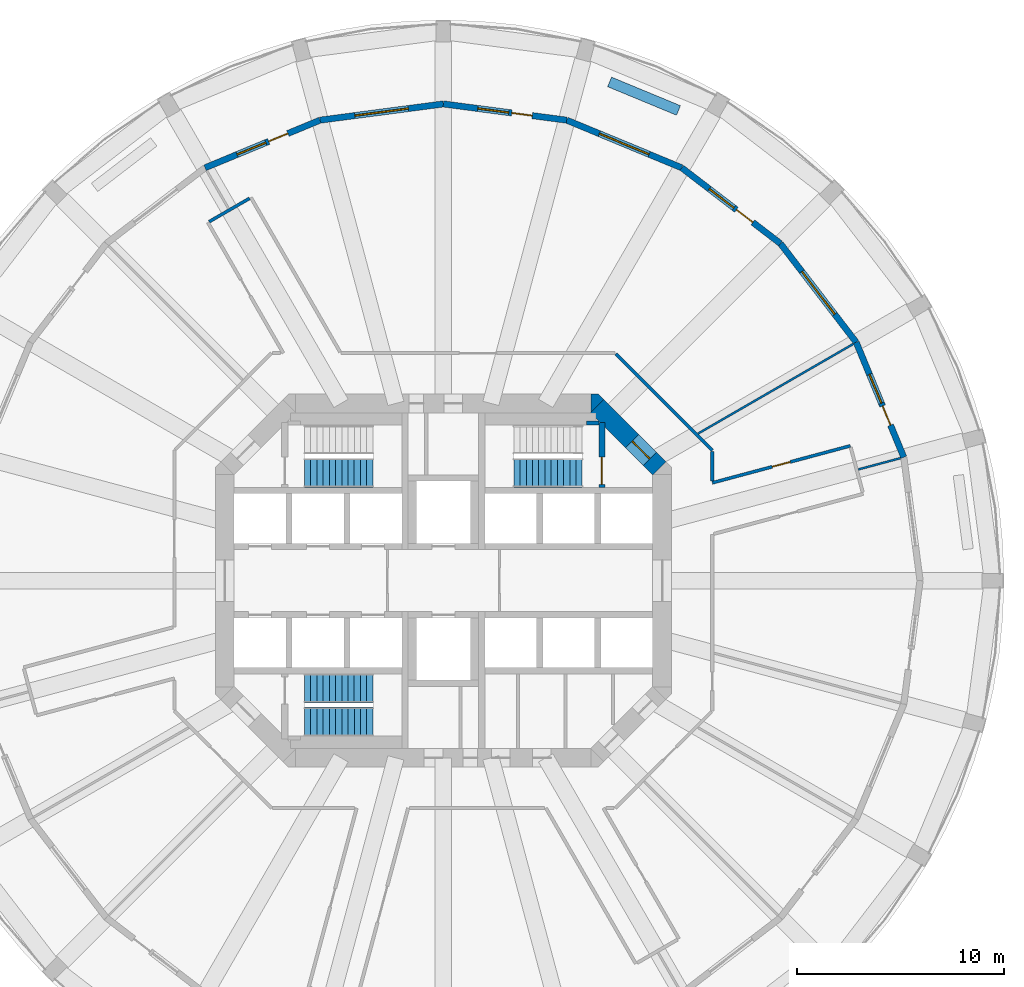
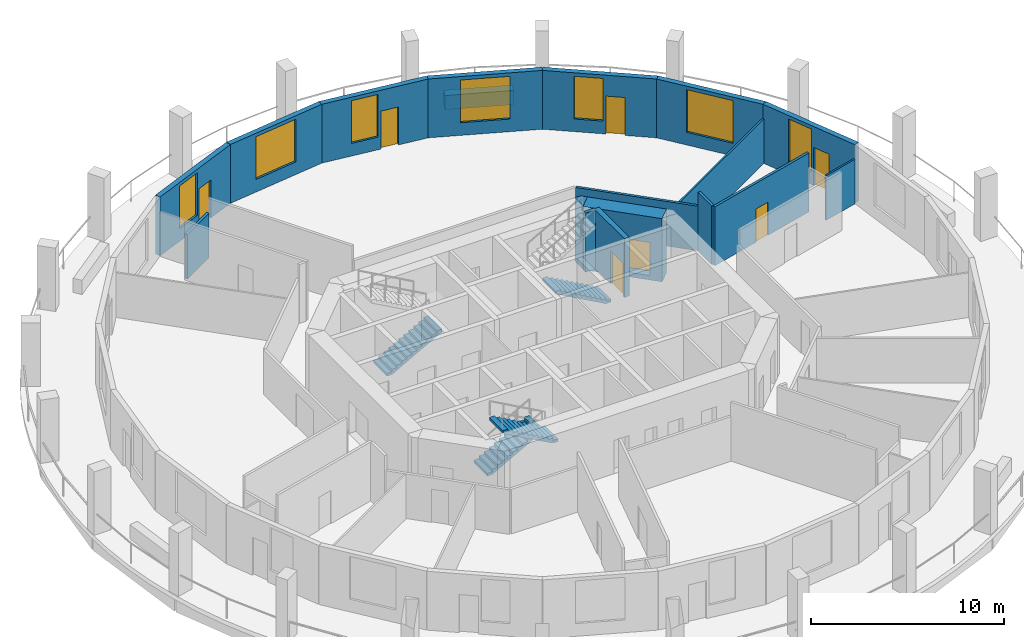
# One storey, part 6 of 9: 18 walls, 7 doors, 7 windows, 4 stair flights, 14 openings, 3 elements without a shape of their own.
"""IFC4 building model written with IfcOpenShell, lengths in metres."""

from ifc_helpers import new_model, si_unit, direction, frame, frame_2d, origin, place, context, subcontext, project, spatial, polyline, rectangle, outline, extrude, material, layer, layer_set, type_object, element, fill, aggregate, save


model = new_model("IFC4")

# Units and contexts
model_context = context("Model", 3, precision=1e-05, world=origin(), true_north=direction((0.0, 1.0)))
body_context = subcontext(model_context, "Body", "Model", "MODEL_VIEW")
ifc_project = project(units=[si_unit("LENGTHUNIT", "METRE"), si_unit("AREAUNIT", "SQUARE_METRE"), si_unit("VOLUMEUNIT", "CUBIC_METRE"), si_unit("PLANEANGLEUNIT", "RADIAN"), si_unit("MASSUNIT", "GRAM", prefix="KILO")], contexts=[model_context])

# Site, building, storey
site_placement = place(None, origin())
site = spatial("IfcSite", under=ifc_project, at=site_placement, CompositionType="ELEMENT")
building_placement = place(site_placement, origin())
building = spatial("IfcBuilding", under=site, at=building_placement, Name="Torre Triforio", CompositionType="ELEMENT")
storey_placement = place(building_placement, frame((0.0, 0.0, 67.0)))
storey = spatial("IfcBuildingStorey", under=building, at=storey_placement, Name="L14", CompositionType="ELEMENT", Elevation=67.0)

# Wall, opening, door
ifc_material_1 = material(Name="Concrete C60", Category="concrete")
ifc_layer_1 = layer(ifc_material_1, 0.89990234375)
ifc_layer_set_1 = layer_set([ifc_layer_1], Name="Concrete C60")
wall_type_1 = type_object("IfcWallType", Name="Core wall 900 mm C60 EI 120", PredefinedType="SHEAR", material=ifc_layer_set_1)
wall_1_placement = place(storey_placement, frame((7.418212890625, 8.418212890625, -0.280029296875), z_axis=(0.0, 0.0, 1.0), x_axis=(0.707106781187, -0.707106781187, 0.0)))
wall_1 = element("IfcWall", 1, at=wall_1_placement, inside=storey, type_object=wall_type_1, Name="Core wall", PredefinedType="SHEAR", context=body_context, shape_type="SweptSolid", body=[
    extrude(rectangle(XDim=4.24267578125, YDim=0.89990234375, at=frame_2d((2.121337890625, 0.0))), origin(), (0.0, 0.0, 1.0), 4.0),
])
opening_1_placement = place(wall_1_placement, frame((2.392578125, 0.0, 0.280029296875)))
opening_1 = element("IfcOpeningElement", 2, at=opening_1_placement, cuts=wall_1, Name="Opening ST2-EXIT", PredefinedType="OPENING", context=body_context, shape_type="SweptSolid", body=[
    extrude(rectangle(XDim=1.199951171875, YDim=2.10009765625, at=frame_2d((0.60009765625, 1.050048828125))), frame((0.0, 0.4599609375, 0.0), z_axis=(0.0, -1.0, 0.0), x_axis=(1.0, 0.0, 0.0)), (0.0, 0.0, 1.0), 0.919921875),
])
ifc_material_2 = material(Name="Hollow metal fire door leaf")
door_type_1 = type_object("IfcDoorType", Name="Stair lobby door 1200 x 2100 EI 60", OperationType="NOTDEFINED", PredefinedType="DOOR", material=ifc_material_2)
door_1_placement = place(opening_1_placement, origin())
door_1 = element("IfcDoor", 3, at=door_1_placement, inside=storey, type_object=door_type_1, Name="Core door ST2-EXIT", OperationType="SINGLE_SWING_RIGHT", OverallHeight=2.10009765625, OverallWidth=1.199951171875, PredefinedType="DOOR", context=body_context, shape_type="SweptSolid", body=[
    extrude(rectangle(XDim=1.199951171875, YDim=2.10009765625, at=frame_2d((0.60009765625, 1.050048828125))), frame((0.0, 0.02490234375, 0.0), z_axis=(0.0, -1.0, 0.0), x_axis=(1.0, 0.0, 0.0)), (0.0, 0.0, 1.0), 0.050048828125),
])
fill(opening_1, door_1)

# Walls
wall_2_placement = place(storey_placement, frame((0.0, 0.0, -0.280029296875)))
element("IfcWall", 4, at=wall_2_placement, inside=storey, type_object=wall_type_1, Name="Core wall", PredefinedType="SHEAR", context=body_context, shape_type="SweptSolid", body=[
    extrude(outline(polyline([(7.472900390625, 9.0), (7.736328125, 8.736328125), (7.1298828125, 8.1298828125), (7.1298828125, 9.0), (7.472900390625, 9.0)])), origin(), (0.0, 0.0, 1.0), 4.0),
])
ifc_material_3 = material(Name="Plasterboard on metal studs")
ifc_layer_2 = layer(ifc_material_3, 0.14990234375)
ifc_layer_set_2 = layer_set([ifc_layer_2], Name="Plasterboard on metal studs")
wall_type_2 = type_object("IfcWallType", Name="Corridor and tenancy wall 150 mm EI 60", PredefinedType="PARTITIONING", material=ifc_layer_set_2)
wall_3_placement = place(storey_placement, frame((-11.298583984375, 17.31982421875, 0.0), z_axis=(0.0, 0.0, 1.0), x_axis=(0.866017533419, 0.500013631625, 0.0)))
element("IfcWall", 5, at=wall_3_placement, inside=storey, type_object=wall_type_2, Name="Partition 7", PredefinedType="PARTITIONING", context=body_context, shape_type="SweptSolid", body=[
    extrude(rectangle(XDim=2.25, YDim=0.14990234375, at=frame_2d((1.125, 0.0))), origin(), (0.0, 0.0, 1.0), 2.820068359375),
])
wall_4_placement = place(storey_placement, frame((8.327880859375, 10.93798828125, 0.0), z_axis=(0.0, 0.0, 1.0), x_axis=(0.707125355289, -0.707088206597, 0.0)))
element("IfcWall", 6, at=wall_4_placement, inside=storey, type_object=wall_type_2, Name="Partition 10", PredefinedType="PARTITIONING", context=body_context, shape_type="SweptSolid", body=[
    extrude(rectangle(XDim=6.572021484375, YDim=0.14990234375, at=frame_2d((3.2861328125, 0.0))), origin(), (0.0, 0.0, 1.0), 2.820068359375),
])
wall_5_placement = place(storey_placement, frame((12.97509765625, 6.23828125, 0.0), z_axis=(0.0, 0.0, 1.0), x_axis=(0.0, -1.0, 0.0)))
element("IfcWall", 7, at=wall_5_placement, inside=storey, type_object=wall_type_2, Name="Partition 11", PredefinedType="PARTITIONING", context=body_context, shape_type="SweptSolid", body=[
    extrude(rectangle(XDim=1.421875, YDim=0.14990234375, at=frame_2d((0.7109375, 0.0))), origin(), (0.0, 0.0, 1.0), 3.719970703125),
])

# Wall, opening, door
wall_6_placement = place(storey_placement, frame((12.97509765625, 4.718994140625, 0.0), z_axis=(0.0, 0.0, 1.0), x_axis=(0.965924499418, 0.258823997003, 0.0)))
wall_6 = element("IfcWall", 8, at=wall_6_placement, inside=storey, type_object=wall_type_2, Name="Partition 12", PredefinedType="PARTITIONING", context=body_context, shape_type="SweptSolid", body=[
    extrude(rectangle(XDim=6.894287109375, YDim=0.14990234375, at=frame_2d((3.447265625, 0.0))), origin(), (0.0, 0.0, 1.0), 3.719970703125),
])
opening_2_placement = place(wall_6_placement, frame((2.997314453125, 0.0, 0.0)))
opening_2 = element("IfcOpeningElement", 9, at=opening_2_placement, cuts=wall_6, Name="Opening N4-10", PredefinedType="OPENING", context=body_context, shape_type="SweptSolid", body=[
    extrude(rectangle(XDim=0.89990234375, YDim=2.10009765625, at=frame_2d((0.449951171875, 1.050048828125))), frame((0.0, 0.0849609375, 0.0), z_axis=(0.0, -1.0, 0.0), x_axis=(1.0, 0.0, 0.0)), (0.0, 0.0, 1.0), 0.169921875),
])
ifc_material_4 = material(Name="Timber", Category="wood")
door_type_2 = type_object("IfcDoorType", Name="Door 900 x 2100 single leaf EI 30", OperationType="NOTDEFINED", PredefinedType="DOOR", material=ifc_material_4)
door_2_placement = place(opening_2_placement, origin())
door_2 = element("IfcDoor", 10, at=door_2_placement, inside=storey, type_object=door_type_2, Name="Door N4-10", OperationType="SINGLE_SWING_RIGHT", OverallHeight=2.10009765625, OverallWidth=0.89990234375, PredefinedType="DOOR", context=body_context, shape_type="SweptSolid", body=[
    extrude(rectangle(XDim=0.89990234375, YDim=2.10009765625, at=frame_2d((0.449951171875, 1.050048828125))), frame((0.0, 0.02490234375, 0.0), z_axis=(0.0, -1.0, 0.0), x_axis=(1.0, 0.0, 0.0)), (0.0, 0.0, 1.0), 0.050048828125),
])
fill(opening_2, door_2)

# Walls
ifc_layer_3 = layer(ifc_material_3, 0.10009765625)
ifc_layer_set_3 = layer_set([ifc_layer_3], Name="Plasterboard on metal studs")
wall_type_3 = type_object("IfcWallType", Name="Partition 100 mm board on metal studs", PredefinedType="PARTITIONING", material=ifc_layer_set_3)
wall_7_placement = place(storey_placement, frame((20.017578125, 5.36376953125, 0.0), z_axis=(0.0, 0.0, 1.0), x_axis=(0.965927422152, 0.258813089189, 0.0)))
element("IfcWall", 11, at=wall_7_placement, inside=storey, type_object=wall_type_3, Name="Partition 29", PredefinedType="PARTITIONING", context=body_context, shape_type="SweptSolid", body=[
    extrude(rectangle(XDim=2.113037109375, YDim=0.10009765625, at=frame_2d((1.056640625, 0.0))), origin(), (0.0, 0.0, 1.0), 2.820068359375),
])
wall_8_placement = place(storey_placement, frame((12.294189453125, 7.097900390625, 0.0), z_axis=(0.0, 0.0, 1.0), x_axis=(0.866010547425, 0.500025731086, 0.0)))
element("IfcWall", 12, at=wall_8_placement, inside=storey, type_object=wall_type_3, Name="Partition 30", PredefinedType="PARTITIONING", context=body_context, shape_type="SweptSolid", body=[
    extrude(rectangle(XDim=8.640625, YDim=0.10009765625, at=frame_2d((4.3203125, 0.0))), origin(), (0.0, 0.0, 1.0), 2.820068359375),
])
ifc_material_5 = material(Name="Limestone cladding", Category="masonry")
ifc_layer_4 = layer(ifc_material_5, 0.10009765625)
ifc_material_6 = material(Name="Concrete C40", Category="concrete")
ifc_layer_5 = layer(ifc_material_6, 0.39990234375)
ifc_layer_set_4 = layer_set([ifc_layer_4, ifc_layer_5], Name="Limestone cladding / Concrete C40")
wall_type_4 = type_object("IfcWallType", Name="Planter wall 500", PredefinedType="PARAPET", material=ifc_layer_set_4)
wall_9_placement = place(storey_placement, frame((11.344970703125, 22.685302734375, 0.0), z_axis=(0.0, 0.0, 1.0), x_axis=(-0.923885420167, 0.382669217998, 0.0)))
element("IfcWall", 13, at=wall_9_placement, inside=storey, type_object=wall_type_4, Name="Planter L14 bay 05", PredefinedType="PARAPET", context=body_context, shape_type="SweptSolid", body=[
    extrude(rectangle(XDim=3.60009765625, YDim=0.5, at=frame_2d((1.800048828125, 0.0))), origin(), (0.0, 0.0, 1.0), 0.89990234375),
])
ifc_layer_6 = layer(ifc_material_1, 0.199951171875)
ifc_layer_set_5 = layer_set([ifc_layer_6], Name="Concrete C60")
wall_type_5 = type_object("IfcWallType", Name="Stair wall 200 mm C60 EI 120", PredefinedType="SHEAR", material=ifc_layer_set_5)
wall_10_placement = place(storey_placement, frame((6.89990234375, 7.60009765625, 0.0), z_axis=(0.0, 0.0, 1.0), x_axis=(1.0, 0.0, 0.0)))
element("IfcWall", 14, at=wall_10_placement, inside=storey, type_object=wall_type_5, Name="Stair wall", PredefinedType="SHEAR", context=body_context, shape_type="SweptSolid", body=[
    extrude(rectangle(XDim=0.60009765625, YDim=0.199951171875, at=frame_2d((0.300048828125, 0.0))), origin(), (0.0, 0.0, 1.0), 3.719970703125),
])

# Wall, opening, door
ifc_layer_7 = layer(ifc_material_1, 0.300048828125)
ifc_layer_set_6 = layer_set([ifc_layer_7], Name="Concrete C60")
wall_type_6 = type_object("IfcWallType", Name="Stair wall 300 mm C60 EI 120", PredefinedType="SHEAR", material=ifc_layer_set_6)
wall_11_placement = place(storey_placement, frame((7.64990234375, 4.5, 0.0), z_axis=(0.0, 0.0, 1.0), x_axis=(0.0, 1.0, 0.0)))
wall_11 = element("IfcWall", 15, at=wall_11_placement, inside=storey, type_object=wall_type_6, Name="Stair wall", PredefinedType="SHEAR", context=body_context, shape_type="SweptSolid", body=[
    extrude(rectangle(XDim=3.139892578125, YDim=0.300048828125, at=frame_2d((1.56982421875, 0.0))), origin(), (0.0, 0.0, 1.0), 3.719970703125),
])
opening_3_placement = place(wall_11_placement, frame((0.139892578125, 0.0, 0.0)))
opening_3 = element("IfcOpeningElement", 16, at=opening_3_placement, cuts=wall_11, Name="Opening ST2-STA", PredefinedType="OPENING", context=body_context, shape_type="SweptSolid", body=[
    extrude(rectangle(XDim=1.320068359375, YDim=2.10009765625, at=frame_2d((0.66015625, 1.050048828125))), frame((0.0, 0.159912109375, 0.0), z_axis=(0.0, -1.0, 0.0), x_axis=(1.0, 0.0, 0.0)), (0.0, 0.0, 1.0), 0.320068359375),
])
door_type_3 = type_object("IfcDoorType", Name="Stair door 1320 x 2100 EI 90", OperationType="DOUBLE_DOOR_SINGLE_SWING", PredefinedType="DOOR", material=ifc_material_2)
door_3_placement = place(opening_3_placement, origin())
door_3 = element("IfcDoor", 17, at=door_3_placement, inside=storey, type_object=door_type_3, Name="Core door ST2-ST", OperationType="DOUBLE_DOOR_SINGLE_SWING", OverallHeight=2.10009765625, OverallWidth=1.320068359375, PredefinedType="DOOR", context=body_context, shape_type="SweptSolid", body=[
    extrude(rectangle(XDim=1.320068359375, YDim=2.10009765625, at=frame_2d((0.66015625, 1.050048828125))), frame((0.0, 0.02490234375, 0.0), z_axis=(0.0, -1.0, 0.0), x_axis=(1.0, 0.0, 0.0)), (0.0, 0.0, 1.0), 0.050048828125),
])
fill(opening_3, door_3)

# Wall, openings, door, window
ifc_layer_8 = layer(ifc_material_5, 0.10009765625)
ifc_layer_9 = layer(ifc_material_6, 0.199951171875)
ifc_layer_set_7 = layer_set([ifc_layer_8, ifc_layer_9], Name="Limestone cladding / Concrete C40")
wall_type_7 = type_object("IfcWallType", Name="Stone-faced composite wall 300", PredefinedType="STANDARD", material=ifc_layer_set_7)
wall_12_placement = place(storey_placement, frame((22.21630859375, 5.952880859375, 0.0), z_axis=(0.0, 0.0, 1.0), x_axis=(-0.382671411433, 0.923884511653, 0.0)))
wall_12 = element("IfcWall", 18, at=wall_12_placement, inside=storey, type_object=wall_type_7, Name="External wall L14 bay 02", PredefinedType="STANDARD", context=body_context, shape_type="SweptSolid", body=[
    extrude(rectangle(XDim=6.004150390625, YDim=0.300048828125, at=frame_2d((3.001953125, 0.0))), origin(), (0.0, 0.0, 1.0), 3.719970703125),
])
opening_4_placement = place(wall_12_placement, frame((1.677001953125, 0.0, 0.0)))
opening_4 = element("IfcOpeningElement", 19, at=opening_4_placement, cuts=wall_12, Name="Opening N4-D02", PredefinedType="OPENING", context=body_context, shape_type="SweptSolid", body=[
    extrude(rectangle(XDim=1.0, YDim=2.39990234375, at=frame_2d((0.5, 1.199951171875))), frame((0.0, 0.159912109375, 0.0), z_axis=(0.0, -1.0, 0.0), x_axis=(1.0, 0.0, 0.0)), (0.0, 0.0, 1.0), 0.320068359375),
])
opening_5_placement = place(wall_12_placement, frame((2.8271484375, 0.0, 0.800048828125)))
opening_5 = element("IfcOpeningElement", 20, at=opening_5_placement, cuts=wall_12, Name="Opening N4-W02A", PredefinedType="OPENING", context=body_context, shape_type="SweptSolid", body=[
    extrude(rectangle(XDim=1.5, YDim=2.699951171875, at=frame_2d((0.75, 1.35009765625))), frame((0.0, 0.159912109375, 0.0), z_axis=(0.0, -1.0, 0.0), x_axis=(1.0, 0.0, 0.0)), (0.0, 0.0, 1.0), 0.320068359375),
])
ifc_material_7 = material(Name="Aluminium frame with clear double glazing", Category="aluminium")
door_type_4 = type_object("IfcDoorType", Name="Loggia door 1000 x 2400", OperationType="NOTDEFINED", PredefinedType="DOOR", material=ifc_material_7)
door_4_placement = place(opening_4_placement, origin())
door_4 = element("IfcDoor", 21, at=door_4_placement, inside=storey, type_object=door_type_4, Name="Loggia door L14 bay 02", OperationType="SINGLE_SWING_LEFT", OverallHeight=2.39990234375, OverallWidth=1.0, PredefinedType="DOOR", context=body_context, shape_type="SweptSolid", body=[
    extrude(rectangle(XDim=1.0, YDim=2.39990234375, at=frame_2d((0.5, 1.199951171875))), frame((0.0, 0.02490234375, 0.0), z_axis=(0.0, -1.0, 0.0), x_axis=(1.0, 0.0, 0.0)), (0.0, 0.0, 1.0), 0.050048828125),
])
fill(opening_4, door_4)
window_type_1 = type_object("IfcWindowType", Name="Side window 1500 x 2700", PartitioningType="SINGLE_PANEL", PredefinedType="WINDOW", material=ifc_material_7)
window_1_placement = place(opening_5_placement, origin())
window_1 = element("IfcWindow", 22, at=window_1_placement, inside=storey, type_object=window_type_1, Name="Side window EWN12 L14 bay 02", OverallHeight=2.699951171875, OverallWidth=1.5, PartitioningType="SINGLE_PANEL", PredefinedType="WINDOW", context=body_context, shape_type="SweptSolid", body=[
    extrude(rectangle(XDim=1.5, YDim=2.699951171875, at=frame_2d((0.75, 1.35009765625))), frame((0.0, 0.030029296875, 0.0), z_axis=(0.0, -1.0, 0.0), x_axis=(1.0, 0.0, 0.0)), (0.0, 0.0, 1.0), 0.06005859375),
])
fill(opening_5, window_1)

# Wall, opening, window
wall_13_placement = place(storey_placement, frame((19.918701171875, 11.5, 0.0), z_axis=(0.0, 0.0, 1.0), x_axis=(-0.608778912074, 0.793339924758, 0.0)))
wall_13 = element("IfcWall", 23, at=wall_13_placement, inside=storey, type_object=wall_type_7, Name="External wall L14 bay 03", PredefinedType="STANDARD", context=body_context, shape_type="SweptSolid", body=[
    extrude(rectangle(XDim=6.004150390625, YDim=0.300048828125, at=frame_2d((3.001953125, 0.0))), origin(), (0.0, 0.0, 1.0), 3.719970703125),
])
opening_6_placement = place(wall_13_placement, frame((1.7021484375, 0.0, 0.800048828125)))
opening_6 = element("IfcOpeningElement", 24, at=opening_6_placement, cuts=wall_13, Name="Opening N4-W03", PredefinedType="OPENING", context=body_context, shape_type="SweptSolid", body=[
    extrude(rectangle(XDim=2.60009765625, YDim=2.699951171875, at=frame_2d((1.300048828125, 1.35009765625))), frame((0.0, 0.159912109375, 0.0), z_axis=(0.0, -1.0, 0.0), x_axis=(1.0, 0.0, 0.0)), (0.0, 0.0, 1.0), 0.320068359375),
])
window_type_2 = type_object("IfcWindowType", Name="Punched window 2600 x 2700", PartitioningType="DOUBLE_PANEL_VERTICAL", PredefinedType="WINDOW", material=ifc_material_7)
window_2_placement = place(opening_6_placement, origin())
window_2 = element("IfcWindow", 25, at=window_2_placement, inside=storey, type_object=window_type_2, Name="Window EWN2 L14 bay 03", OverallHeight=2.699951171875, OverallWidth=2.60009765625, PartitioningType="SINGLE_PANEL", PredefinedType="WINDOW", context=body_context, shape_type="SweptSolid", body=[
    extrude(rectangle(XDim=2.60009765625, YDim=2.699951171875, at=frame_2d((1.300048828125, 1.35009765625))), frame((0.0, 0.030029296875, 0.0), z_axis=(0.0, -1.0, 0.0), x_axis=(1.0, 0.0, 0.0)), (0.0, 0.0, 1.0), 0.06005859375),
])
fill(opening_6, window_2)

# Wall, openings, door, window
wall_14_placement = place(storey_placement, frame((16.263427734375, 16.263427734375, 0.0), z_axis=(0.0, 0.0, 1.0), x_axis=(-0.793339924758, 0.608778912074, 0.0)))
wall_14 = element("IfcWall", 26, at=wall_14_placement, inside=storey, type_object=wall_type_7, Name="External wall L14 bay 04", PredefinedType="STANDARD", context=body_context, shape_type="SweptSolid", body=[
    extrude(rectangle(XDim=6.004150390625, YDim=0.300048828125, at=frame_2d((3.001953125, 0.0))), origin(), (0.0, 0.0, 1.0), 3.719970703125),
])
opening_7_placement = place(wall_14_placement, frame((1.677001953125, 0.0, 0.0)))
opening_7 = element("IfcOpeningElement", 27, at=opening_7_placement, cuts=wall_14, Name="Opening N4-D04", PredefinedType="OPENING", context=body_context, shape_type="SweptSolid", body=[
    extrude(rectangle(XDim=1.0, YDim=2.39990234375, at=frame_2d((0.5, 1.199951171875))), frame((0.0, 0.159912109375, 0.0), z_axis=(0.0, -1.0, 0.0), x_axis=(1.0, 0.0, 0.0)), (0.0, 0.0, 1.0), 0.320068359375),
])
opening_8_placement = place(wall_14_placement, frame((2.8271484375, 0.0, 0.800048828125)))
opening_8 = element("IfcOpeningElement", 28, at=opening_8_placement, cuts=wall_14, Name="Opening N4-W04A", PredefinedType="OPENING", context=body_context, shape_type="SweptSolid", body=[
    extrude(rectangle(XDim=1.5, YDim=2.699951171875, at=frame_2d((0.75, 1.35009765625))), frame((0.0, 0.159912109375, 0.0), z_axis=(0.0, -1.0, 0.0), x_axis=(1.0, 0.0, 0.0)), (0.0, 0.0, 1.0), 0.320068359375),
])
door_5_placement = place(opening_7_placement, origin())
door_5 = element("IfcDoor", 29, at=door_5_placement, inside=storey, type_object=door_type_4, Name="Loggia door L14 bay 04", OperationType="SINGLE_SWING_LEFT", OverallHeight=2.39990234375, OverallWidth=1.0, PredefinedType="DOOR", context=body_context, shape_type="SweptSolid", body=[
    extrude(rectangle(XDim=1.0, YDim=2.39990234375, at=frame_2d((0.5, 1.199951171875))), frame((0.0, 0.02490234375, 0.0), z_axis=(0.0, -1.0, 0.0), x_axis=(1.0, 0.0, 0.0)), (0.0, 0.0, 1.0), 0.050048828125),
])
fill(opening_7, door_5)
window_3_placement = place(opening_8_placement, origin())
window_3 = element("IfcWindow", 30, at=window_3_placement, inside=storey, type_object=window_type_1, Name="Side window EWN12 L14 bay 04", OverallHeight=2.699951171875, OverallWidth=1.5, PartitioningType="SINGLE_PANEL", PredefinedType="WINDOW", context=body_context, shape_type="SweptSolid", body=[
    extrude(rectangle(XDim=1.5, YDim=2.699951171875, at=frame_2d((0.75, 1.35009765625))), frame((0.0, 0.030029296875, 0.0), z_axis=(0.0, -1.0, 0.0), x_axis=(1.0, 0.0, 0.0)), (0.0, 0.0, 1.0), 0.06005859375),
])
fill(opening_8, window_3)

# Wall, opening, window
wall_15_placement = place(storey_placement, frame((11.5, 19.918701171875, 0.0), z_axis=(0.0, 0.0, 1.0), x_axis=(-0.923884511653, 0.382671411433, 0.0)))
wall_15 = element("IfcWall", 31, at=wall_15_placement, inside=storey, type_object=wall_type_7, Name="External wall L14 bay 05", PredefinedType="STANDARD", context=body_context, shape_type="SweptSolid", body=[
    extrude(rectangle(XDim=6.004150390625, YDim=0.300048828125, at=frame_2d((3.001953125, 0.0))), origin(), (0.0, 0.0, 1.0), 3.719970703125),
])
opening_9_placement = place(wall_15_placement, frame((1.7021484375, 0.0, 0.800048828125)))
opening_9 = element("IfcOpeningElement", 32, at=opening_9_placement, cuts=wall_15, Name="Opening N4-W05", PredefinedType="OPENING", context=body_context, shape_type="SweptSolid", body=[
    extrude(rectangle(XDim=2.60009765625, YDim=2.699951171875, at=frame_2d((1.300048828125, 1.35009765625))), frame((0.0, 0.159912109375, 0.0), z_axis=(0.0, -1.0, 0.0), x_axis=(1.0, 0.0, 0.0)), (0.0, 0.0, 1.0), 0.320068359375),
])
window_4_placement = place(opening_9_placement, origin())
window_4 = element("IfcWindow", 33, at=window_4_placement, inside=storey, type_object=window_type_2, Name="Window EWN2 L14 bay 05", OverallHeight=2.699951171875, OverallWidth=2.60009765625, PartitioningType="SINGLE_PANEL", PredefinedType="WINDOW", context=body_context, shape_type="SweptSolid", body=[
    extrude(rectangle(XDim=2.60009765625, YDim=2.699951171875, at=frame_2d((1.300048828125, 1.35009765625))), frame((0.0, 0.030029296875, 0.0), z_axis=(0.0, -1.0, 0.0), x_axis=(1.0, 0.0, 0.0)), (0.0, 0.0, 1.0), 0.06005859375),
])
fill(opening_9, window_4)

# Wall, openings, door, window
wall_16_placement = place(storey_placement, frame((5.952880859375, 22.21630859375, 0.0), z_axis=(0.0, 0.0, 1.0), x_axis=(-0.991445297315, 0.130522880875, 0.0)))
wall_16 = element("IfcWall", 34, at=wall_16_placement, inside=storey, type_object=wall_type_7, Name="External wall L14 bay 06", PredefinedType="STANDARD", context=body_context, shape_type="SweptSolid", body=[
    extrude(rectangle(XDim=6.004150390625, YDim=0.300048828125, at=frame_2d((3.001953125, 0.0))), origin(), (0.0, 0.0, 1.0), 3.719970703125),
])
opening_10_placement = place(wall_16_placement, frame((1.677001953125, 0.0, 0.0)))
opening_10 = element("IfcOpeningElement", 35, at=opening_10_placement, cuts=wall_16, Name="Opening N4-D06", PredefinedType="OPENING", context=body_context, shape_type="SweptSolid", body=[
    extrude(rectangle(XDim=1.0, YDim=2.39990234375, at=frame_2d((0.5, 1.199951171875))), frame((0.0, 0.159912109375, 0.0), z_axis=(0.0, -1.0, 0.0), x_axis=(1.0, 0.0, 0.0)), (0.0, 0.0, 1.0), 0.320068359375),
])
opening_11_placement = place(wall_16_placement, frame((2.8271484375, 0.0, 0.800048828125)))
opening_11 = element("IfcOpeningElement", 36, at=opening_11_placement, cuts=wall_16, Name="Opening N4-W06A", PredefinedType="OPENING", context=body_context, shape_type="SweptSolid", body=[
    extrude(rectangle(XDim=1.5, YDim=2.699951171875, at=frame_2d((0.75, 1.35009765625))), frame((0.0, 0.159912109375, 0.0), z_axis=(0.0, -1.0, 0.0), x_axis=(1.0, 0.0, 0.0)), (0.0, 0.0, 1.0), 0.320068359375),
])
door_6_placement = place(opening_10_placement, origin())
door_6 = element("IfcDoor", 37, at=door_6_placement, inside=storey, type_object=door_type_4, Name="Loggia door L14 bay 06", OperationType="SINGLE_SWING_LEFT", OverallHeight=2.39990234375, OverallWidth=1.0, PredefinedType="DOOR", context=body_context, shape_type="SweptSolid", body=[
    extrude(rectangle(XDim=1.0, YDim=2.39990234375, at=frame_2d((0.5, 1.199951171875))), frame((0.0, 0.02490234375, 0.0), z_axis=(0.0, -1.0, 0.0), x_axis=(1.0, 0.0, 0.0)), (0.0, 0.0, 1.0), 0.050048828125),
])
fill(opening_10, door_6)
window_5_placement = place(opening_11_placement, origin())
window_5 = element("IfcWindow", 38, at=window_5_placement, inside=storey, type_object=window_type_1, Name="Side window EWN12 L14 bay 06", OverallHeight=2.699951171875, OverallWidth=1.5, PartitioningType="SINGLE_PANEL", PredefinedType="WINDOW", context=body_context, shape_type="SweptSolid", body=[
    extrude(rectangle(XDim=1.5, YDim=2.699951171875, at=frame_2d((0.75, 1.35009765625))), frame((0.0, 0.030029296875, 0.0), z_axis=(0.0, -1.0, 0.0), x_axis=(1.0, 0.0, 0.0)), (0.0, 0.0, 1.0), 0.06005859375),
])
fill(opening_11, window_5)

# Wall, opening, window
wall_17_placement = place(storey_placement, frame((0.0, 23.0, 0.0), z_axis=(0.0, 0.0, 1.0), x_axis=(-0.991445297315, -0.130522880875, 0.0)))
wall_17 = element("IfcWall", 39, at=wall_17_placement, inside=storey, type_object=wall_type_7, Name="External wall L14 bay 07", PredefinedType="STANDARD", context=body_context, shape_type="SweptSolid", body=[
    extrude(rectangle(XDim=6.004150390625, YDim=0.300048828125, at=frame_2d((3.001953125, 0.0))), origin(), (0.0, 0.0, 1.0), 3.719970703125),
])
opening_12_placement = place(wall_17_placement, frame((1.7021484375, 0.0, 0.800048828125)))
opening_12 = element("IfcOpeningElement", 40, at=opening_12_placement, cuts=wall_17, Name="Opening N4-W07", PredefinedType="OPENING", context=body_context, shape_type="SweptSolid", body=[
    extrude(rectangle(XDim=2.60009765625, YDim=2.699951171875, at=frame_2d((1.300048828125, 1.35009765625))), frame((0.0, 0.159912109375, 0.0), z_axis=(0.0, -1.0, 0.0), x_axis=(1.0, 0.0, 0.0)), (0.0, 0.0, 1.0), 0.320068359375),
])
window_6_placement = place(opening_12_placement, origin())
window_6 = element("IfcWindow", 41, at=window_6_placement, inside=storey, type_object=window_type_2, Name="Window EWN2 L14 bay 07", OverallHeight=2.699951171875, OverallWidth=2.60009765625, PartitioningType="SINGLE_PANEL", PredefinedType="WINDOW", context=body_context, shape_type="SweptSolid", body=[
    extrude(rectangle(XDim=2.60009765625, YDim=2.699951171875, at=frame_2d((1.300048828125, 1.35009765625))), frame((0.0, 0.030029296875, 0.0), z_axis=(0.0, -1.0, 0.0), x_axis=(1.0, 0.0, 0.0)), (0.0, 0.0, 1.0), 0.06005859375),
])
fill(opening_12, window_6)

# Wall, openings, door, window
wall_18_placement = place(storey_placement, frame((-5.952880859375, 22.21630859375, 0.0), z_axis=(0.0, 0.0, 1.0), x_axis=(-0.923884511653, -0.382671411433, 0.0)))
wall_18 = element("IfcWall", 42, at=wall_18_placement, inside=storey, type_object=wall_type_7, Name="External wall L14 bay 08", PredefinedType="STANDARD", context=body_context, shape_type="SweptSolid", body=[
    extrude(rectangle(XDim=6.004150390625, YDim=0.300048828125, at=frame_2d((3.001953125, 0.0))), origin(), (0.0, 0.0, 1.0), 3.719970703125),
])
opening_13_placement = place(wall_18_placement, frame((1.677001953125, 0.0, 0.0)))
opening_13 = element("IfcOpeningElement", 43, at=opening_13_placement, cuts=wall_18, Name="Opening N4-D08", PredefinedType="OPENING", context=body_context, shape_type="SweptSolid", body=[
    extrude(rectangle(XDim=1.0, YDim=2.39990234375, at=frame_2d((0.5, 1.199951171875))), frame((0.0, 0.159912109375, 0.0), z_axis=(0.0, -1.0, 0.0), x_axis=(1.0, 0.0, 0.0)), (0.0, 0.0, 1.0), 0.320068359375),
])
opening_14_placement = place(wall_18_placement, frame((2.8271484375, 0.0, 0.800048828125)))
opening_14 = element("IfcOpeningElement", 44, at=opening_14_placement, cuts=wall_18, Name="Opening N4-W08A", PredefinedType="OPENING", context=body_context, shape_type="SweptSolid", body=[
    extrude(rectangle(XDim=1.5, YDim=2.699951171875, at=frame_2d((0.75, 1.35009765625))), frame((0.0, 0.159912109375, 0.0), z_axis=(0.0, -1.0, 0.0), x_axis=(1.0, 0.0, 0.0)), (0.0, 0.0, 1.0), 0.320068359375),
])
door_7_placement = place(opening_13_placement, origin())
door_7 = element("IfcDoor", 45, at=door_7_placement, inside=storey, type_object=door_type_4, Name="Loggia door L14 bay 08", OperationType="SINGLE_SWING_LEFT", OverallHeight=2.39990234375, OverallWidth=1.0, PredefinedType="DOOR", context=body_context, shape_type="SweptSolid", body=[
    extrude(rectangle(XDim=1.0, YDim=2.39990234375, at=frame_2d((0.5, 1.199951171875))), frame((0.0, 0.02490234375, 0.0), z_axis=(0.0, -1.0, 0.0), x_axis=(1.0, 0.0, 0.0)), (0.0, 0.0, 1.0), 0.050048828125),
])
fill(opening_13, door_7)
window_7_placement = place(opening_14_placement, origin())
window_7 = element("IfcWindow", 46, at=window_7_placement, inside=storey, type_object=window_type_1, Name="Side window EWN12 L14 bay 08", OverallHeight=2.699951171875, OverallWidth=1.5, PartitioningType="SINGLE_PANEL", PredefinedType="WINDOW", context=body_context, shape_type="SweptSolid", body=[
    extrude(rectangle(XDim=1.5, YDim=2.699951171875, at=frame_2d((0.75, 1.35009765625))), frame((0.0, 0.030029296875, 0.0), z_axis=(0.0, -1.0, 0.0), x_axis=(1.0, 0.0, 0.0)), (0.0, 0.0, 1.0), 0.06005859375),
])
fill(opening_14, window_7)

# Stair, stair flight
stair_type = type_object("IfcStairType", Name="STAIR HALF-TURN", PredefinedType="HALF_TURN_STAIR", material=ifc_material_6)
stair_1_placement = place(storey_placement, origin())
stair_1 = element("IfcStair", 47, at=stair_1_placement, inside=storey, type_object=stair_type, Name="Exit stair 1", PredefinedType="HALF_TURN_STAIR")
stair_flight_type = type_object("IfcStairFlightType", Name="STAIR FLIGHT 1400", PredefinedType="STRAIGHT", material=ifc_material_6)
stair_flight_1_placement = place(storey_placement, frame((-6.699951171875, 5.199951171875, 0.0), z_axis=(0.0, 0.0, 1.0), x_axis=(1.0, 0.0, 0.0)))
stair_flight_1 = element("IfcStairFlight", 48, at=stair_flight_1_placement, type_object=stair_flight_type, Name="ST1 flight 1", NumberOfRisers=12, NumberOfTreads=11, PredefinedType="STRAIGHT", RiserHeight=0.166666667, TreadLength=0.3, context=body_context, shape_type="SweptSolid", body=[
    extrude(outline(polyline([(0.0, 0.0), (0.0, 0.166748046875), (0.300048828125, 0.166748046875), (0.300048828125, 0.333251953125), (0.60009765625, 0.333251953125), (0.60009765625, 0.5), (0.89990234375, 0.5), (0.89990234375, 0.666748046875), (1.199951171875, 0.666748046875), (1.199951171875, 0.833251953125), (1.5, 0.833251953125), (1.5, 1.0), (1.800048828125, 1.0), (1.800048828125, 1.166748046875), (2.10009765625, 1.166748046875), (2.10009765625, 1.333251953125), (2.39990234375, 1.333251953125), (2.39990234375, 1.5), (2.699951171875, 1.5), (2.699951171875, 1.666748046875), (3.0, 1.666748046875), (3.0, 1.833251953125), (3.300048828125, 1.833251953125), (3.300048828125, 2.0), (3.300048828125, 1.661865234375), (0.30859375, 0.0), (0.0, 0.0)])), frame((0.0, 0.699951171875, 0.0), z_axis=(0.0, -1.0, 0.0), x_axis=(1.0, 0.0, 0.0)), (0.0, 0.0, 1.0), 1.39990234375),
])
aggregate(stair_1, [stair_flight_1])

stair_2_placement = place(storey_placement, origin())
stair_2 = element("IfcStair", 49, at=stair_2_placement, inside=storey, type_object=stair_type, Name="Exit stair 2", PredefinedType="HALF_TURN_STAIR")
stair_flight_2_placement = place(storey_placement, frame((6.699951171875, 5.199951171875, 0.0), z_axis=(0.0, 0.0, 1.0), x_axis=(-1.0, 0.0, 0.0)))
stair_flight_2 = element("IfcStairFlight", 50, at=stair_flight_2_placement, type_object=stair_flight_type, Name="ST2 flight 1", NumberOfRisers=12, NumberOfTreads=11, PredefinedType="STRAIGHT", RiserHeight=0.166666667, TreadLength=0.3, context=body_context, shape_type="SweptSolid", body=[
    extrude(outline(polyline([(0.0, 0.0), (0.0, 0.166748046875), (0.300048828125, 0.166748046875), (0.300048828125, 0.333251953125), (0.60009765625, 0.333251953125), (0.60009765625, 0.5), (0.89990234375, 0.5), (0.89990234375, 0.666748046875), (1.199951171875, 0.666748046875), (1.199951171875, 0.833251953125), (1.5, 0.833251953125), (1.5, 1.0), (1.800048828125, 1.0), (1.800048828125, 1.166748046875), (2.10009765625, 1.166748046875), (2.10009765625, 1.333251953125), (2.39990234375, 1.333251953125), (2.39990234375, 1.5), (2.699951171875, 1.5), (2.699951171875, 1.666748046875), (3.0, 1.666748046875), (3.0, 1.833251953125), (3.300048828125, 1.833251953125), (3.300048828125, 2.0), (3.300048828125, 1.661865234375), (0.30859375, 0.0), (0.0, 0.0)])), frame((0.0, 0.699951171875, 0.0), z_axis=(0.0, -1.0, 0.0), x_axis=(1.0, 0.0, 0.0)), (0.0, 0.0, 1.0), 1.39990234375),
])
aggregate(stair_2, [stair_flight_2])

# Stair, stair flights
stair_3_placement = place(storey_placement, origin())
stair_3 = element("IfcStair", 51, at=stair_3_placement, inside=storey, type_object=stair_type, Name="Exit stair 3", PredefinedType="HALF_TURN_STAIR")
stair_flight_3_placement = place(storey_placement, frame((-6.699951171875, -5.199951171875, 0.0), z_axis=(0.0, 0.0, 1.0), x_axis=(1.0, 0.0, 0.0)))
stair_flight_3 = element("IfcStairFlight", 52, at=stair_flight_3_placement, type_object=stair_flight_type, Name="ST3 flight 1", NumberOfRisers=12, NumberOfTreads=11, PredefinedType="STRAIGHT", RiserHeight=0.166666667, TreadLength=0.3, context=body_context, shape_type="SweptSolid", body=[
    extrude(outline(polyline([(0.0, 0.0), (0.0, 0.166748046875), (0.300048828125, 0.166748046875), (0.300048828125, 0.333251953125), (0.60009765625, 0.333251953125), (0.60009765625, 0.5), (0.89990234375, 0.5), (0.89990234375, 0.666748046875), (1.199951171875, 0.666748046875), (1.199951171875, 0.833251953125), (1.5, 0.833251953125), (1.5, 1.0), (1.800048828125, 1.0), (1.800048828125, 1.166748046875), (2.10009765625, 1.166748046875), (2.10009765625, 1.333251953125), (2.39990234375, 1.333251953125), (2.39990234375, 1.5), (2.699951171875, 1.5), (2.699951171875, 1.666748046875), (3.0, 1.666748046875), (3.0, 1.833251953125), (3.300048828125, 1.833251953125), (3.300048828125, 2.0), (3.300048828125, 1.661865234375), (0.30859375, 0.0), (0.0, 0.0)])), frame((0.0, 0.699951171875, 0.0), z_axis=(0.0, -1.0, 0.0), x_axis=(1.0, 0.0, 0.0)), (0.0, 0.0, 1.0), 1.39990234375),
])
stair_flight_4_placement = place(storey_placement, frame((-3.39990234375, -6.800048828125, 2.0), z_axis=(0.0, 0.0, 1.0), x_axis=(-1.0, 0.0, 0.0)))
stair_flight_4 = element("IfcStairFlight", 53, at=stair_flight_4_placement, type_object=stair_flight_type, Name="ST3 flight 2", NumberOfRisers=12, NumberOfTreads=11, PredefinedType="STRAIGHT", RiserHeight=0.166666667, TreadLength=0.3, context=body_context, shape_type="SweptSolid", body=[
    extrude(outline(polyline([(0.0, 0.0), (0.0, 0.166748046875), (0.300048828125, 0.166748046875), (0.300048828125, 0.333251953125), (0.60009765625, 0.333251953125), (0.60009765625, 0.5), (0.89990234375, 0.5), (0.89990234375, 0.666748046875), (1.199951171875, 0.666748046875), (1.199951171875, 0.833251953125), (1.5, 0.833251953125), (1.5, 1.0), (1.800048828125, 1.0), (1.800048828125, 1.166748046875), (2.10009765625, 1.166748046875), (2.10009765625, 1.333251953125), (2.39990234375, 1.333251953125), (2.39990234375, 1.5), (2.699951171875, 1.5), (2.699951171875, 1.666748046875), (3.0, 1.666748046875), (3.0, 1.833251953125), (3.300048828125, 1.833251953125), (3.300048828125, 2.0), (3.300048828125, 1.661865234375), (0.30859375, 0.0), (0.0, 0.0)])), frame((0.0, 0.699951171875, 0.0), z_axis=(0.0, -1.0, 0.0), x_axis=(1.0, 0.0, 0.0)), (0.0, 0.0, 1.0), 1.39990234375),
])
aggregate(stair_3, [stair_flight_3, stair_flight_4])

save(model, "model.ifc")
